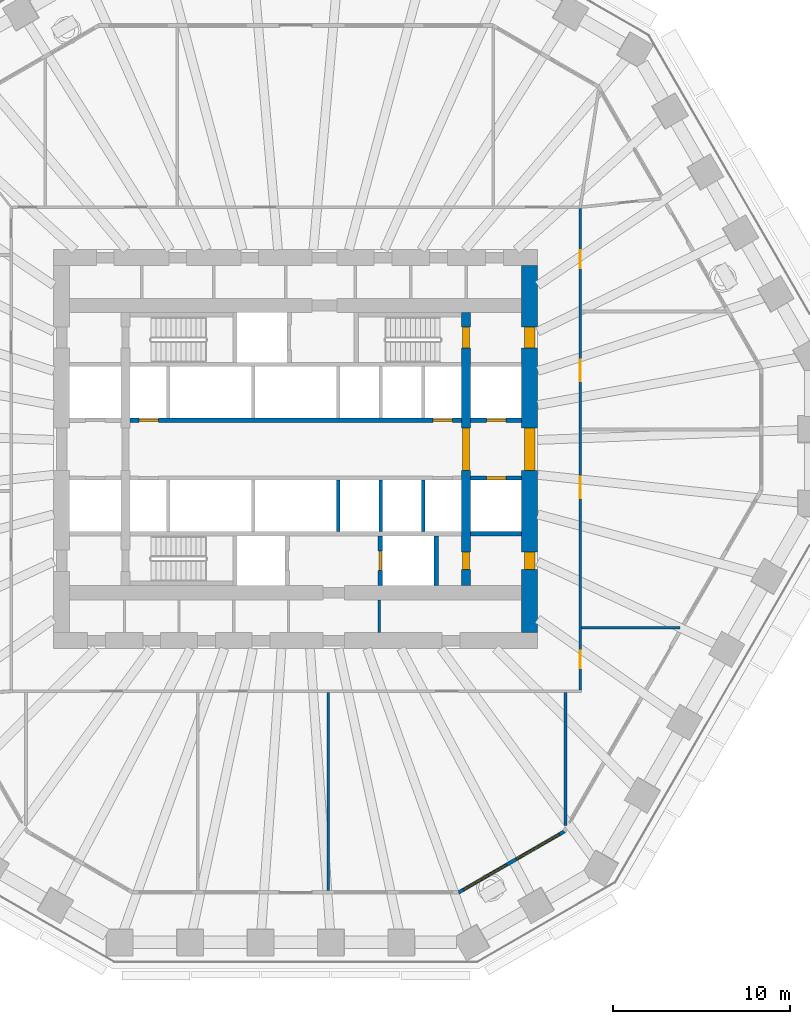
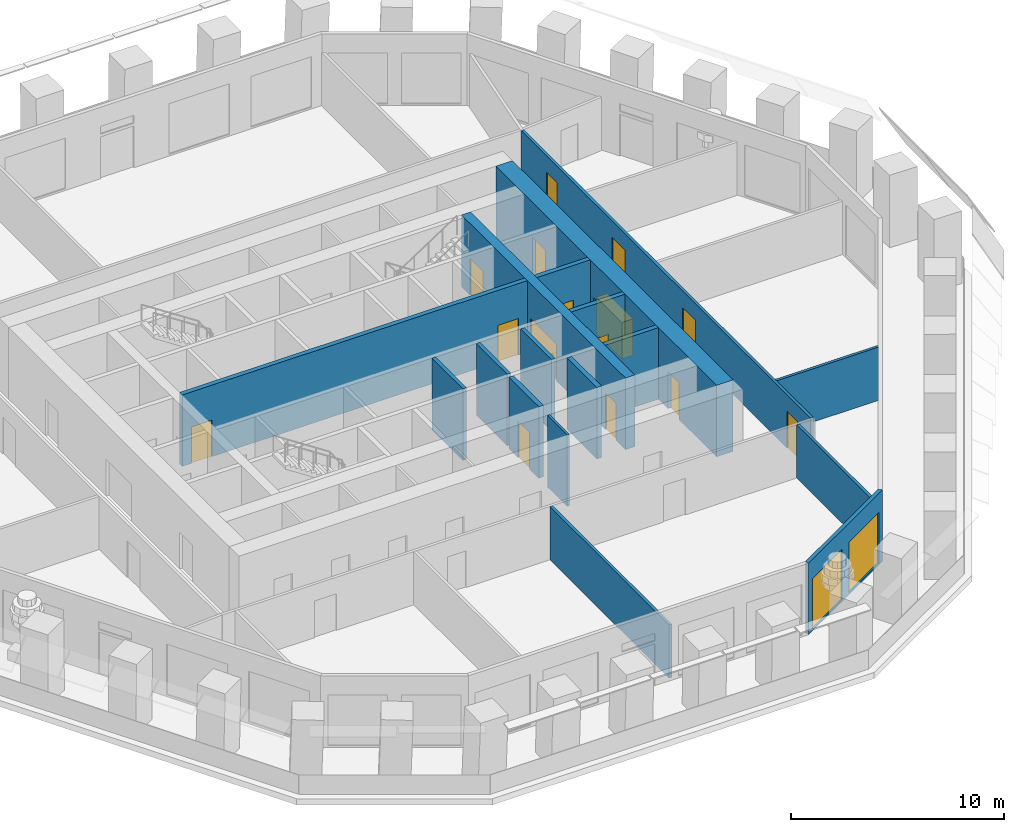
# One storey, part 5 of 12: 17 walls, 15 doors, 2 windows, 17 openings.
"""IFC4 building model written with IfcOpenShell, lengths in metres."""

from ifc_helpers import new_model, si_unit, direction, frame, frame_2d, origin, place, context, subcontext, project, spatial, polyline, rectangle, outline, extrude, material, layer, layer_set, type_object, element, fill, save


model = new_model("IFC4")

# Units and contexts
model_context = context("Model", 3, precision=1e-05, world=origin(), true_north=direction((0.0, 1.0)))
body_context = subcontext(model_context, "Body", "Model", "MODEL_VIEW")
ifc_project = project(units=[si_unit("LENGTHUNIT", "METRE"), si_unit("AREAUNIT", "SQUARE_METRE"), si_unit("VOLUMEUNIT", "CUBIC_METRE"), si_unit("PLANEANGLEUNIT", "RADIAN"), si_unit("MASSUNIT", "GRAM", prefix="KILO")], contexts=[model_context])

# Site, building, storey
site_placement = place(None, origin())
site = spatial("IfcSite", under=ifc_project, at=site_placement, CompositionType="ELEMENT")
building_placement = place(site_placement, origin())
building = spatial("IfcBuilding", under=site, at=building_placement, Name="Frailejon Research Tower", CompositionType="ELEMENT")
storey_placement = place(building_placement, frame((0.0, 0.0, 49.800048828125)))
storey = spatial("IfcBuildingStorey", under=building, at=storey_placement, Name="L11", CompositionType="ELEMENT", Elevation=49.800048828125)

# Wall
ifc_material_1 = material(Name="Plasterboard on steel studs", Category="steel")
ifc_layer_1 = layer(ifc_material_1, 0.125)
ifc_layer_set_1 = layer_set([ifc_layer_1], Name="Core partition 125")
wall_type_1 = type_object("IfcWallType", Name="Core partition 125", PredefinedType="PARTITIONING", material=ifc_layer_set_1)
wall_1_placement = place(storey_placement, frame((4.71240234375, -10.35009765625, 0.0), z_axis=(0.0, 0.0, 1.0), x_axis=(0.0, 1.0, 0.0)))
element("IfcWall", 1, at=wall_1_placement, inside=storey, type_object=wall_type_1, Name="Core partition", PredefinedType="PARTITIONING", context=body_context, shape_type="SweptSolid", body=[
    extrude(rectangle(XDim=1.85009765625, YDim=0.125, at=frame_2d((0.925048828125, 0.0))), origin(), (0.0, 0.0, 1.0), 4.099853515625),
])

# Wall, openings, doors
ifc_material_2 = material(Name="Concrete C70/85", Category="concrete")
ifc_layer_2 = layer(ifc_material_2, 0.5)
ifc_layer_set_2 = layer_set([ifc_layer_2], Name="Core shear wall 500 C70/85")
wall_type_2 = type_object("IfcWallType", Name="Core shear wall 500 C70/85", PredefinedType="SHEAR", material=ifc_layer_set_2)
wall_2_placement = place(storey_placement, frame((9.60009765625, -7.699951171875, 0.0), z_axis=(0.0, 0.0, 1.0), x_axis=(0.0, 1.0, 0.0)))
wall_2 = element("IfcWall", 2, at=wall_2_placement, inside=storey, type_object=wall_type_2, Name="Core shear wall", PredefinedType="SHEAR", context=body_context, shape_type="SweptSolid", body=[
    extrude(rectangle(XDim=15.39990234375, YDim=0.5, at=frame_2d((7.699951171875, 0.0))), origin(), (0.0, 0.0, 1.0), 4.099853515625),
])
opening_1_placement = place(wall_2_placement, frame((6.5, 0.0, 0.0)))
opening_1 = element("IfcOpeningElement", 3, at=opening_1_placement, cuts=wall_2, Name="Opening D2", PredefinedType="OPENING", context=body_context, shape_type="SweptSolid", body=[
    extrude(rectangle(XDim=2.39990234375, YDim=2.10009765625, at=frame_2d((1.199951171875, 1.050048828125))), frame((0.0, 0.260009765625, 0.0), z_axis=(0.0, -1.0, 0.0), x_axis=(1.0, 0.0, 0.0)), (0.0, 0.0, 1.0), 0.52001953125),
])
opening_2_placement = place(wall_2_placement, frame((13.39990234375, 0.0, 0.0)))
opening_2 = element("IfcOpeningElement", 4, at=opening_2_placement, cuts=wall_2, Name="Opening D1", PredefinedType="OPENING", context=body_context, shape_type="SweptSolid", body=[
    extrude(rectangle(XDim=1.199951171875, YDim=2.10009765625, at=frame_2d((0.60009765625, 1.050048828125))), frame((0.0, 0.260009765625, 0.0), z_axis=(0.0, -1.0, 0.0), x_axis=(1.0, 0.0, 0.0)), (0.0, 0.0, 1.0), 0.52001953125),
])
opening_3_placement = place(wall_2_placement, frame((0.89990234375, 0.0, 0.0)))
opening_3 = element("IfcOpeningElement", 5, at=opening_3_placement, cuts=wall_2, Name="Opening D4", PredefinedType="OPENING", context=body_context, shape_type="SweptSolid", body=[
    extrude(rectangle(XDim=1.0, YDim=2.10009765625, at=frame_2d((0.5, 1.050048828125))), frame((0.0, 0.260009765625, 0.0), z_axis=(0.0, -1.0, 0.0), x_axis=(1.0, 0.0, 0.0)), (0.0, 0.0, 1.0), 0.52001953125),
])
ifc_material_3 = material(Name="Steel", Category="steel")
door_type_1 = type_object("IfcDoorType", Name="Lobby double door", OperationType="DOUBLE_DOOR_SINGLE_SWING", PredefinedType="DOOR", material=ifc_material_3)
door_1_placement = place(opening_1_placement, origin())
door_1 = element("IfcDoor", 6, at=door_1_placement, inside=storey, type_object=door_type_1, Name="Lobby door", OperationType="DOUBLE_DOOR_SINGLE_SWING", OverallHeight=2.10009765625, OverallWidth=2.39990234375, PredefinedType="DOOR", context=body_context, shape_type="SweptSolid", body=[
    extrude(rectangle(XDim=2.39990234375, YDim=2.10009765625, at=frame_2d((1.199951171875, 1.050048828125))), frame((0.0, 0.199951171875, 0.0), z_axis=(0.0, -1.0, 0.0), x_axis=(1.0, 0.0, 0.0)), (0.0, 0.0, 1.0), 0.39990234375),
])
fill(opening_1, door_1)
ifc_material_4 = material(Name="Steel", Category="steel")
door_type_2 = type_object("IfcDoorType", Name="Service door", OperationType="SINGLE_SWING_LEFT", PredefinedType="DOOR", material=ifc_material_4)
door_2_placement = place(opening_3_placement, origin())
door_2 = element("IfcDoor", 7, at=door_2_placement, inside=storey, type_object=door_type_2, Name="Riser door", OperationType="SINGLE_SWING_RIGHT", OverallHeight=2.10009765625, OverallWidth=1.0, PredefinedType="DOOR", context=body_context, shape_type="SweptSolid", body=[
    extrude(rectangle(XDim=1.0, YDim=2.10009765625, at=frame_2d((0.5, 1.050048828125))), frame((0.0, 0.199951171875, 0.0), z_axis=(0.0, -1.0, 0.0), x_axis=(1.0, 0.0, 0.0)), (0.0, 0.0, 1.0), 0.39990234375),
])
fill(opening_3, door_2)
ifc_material_5 = material(Name="Steel", Category="steel")
door_type_3 = type_object("IfcDoorType", Name="Stair door", OperationType="SINGLE_SWING_LEFT", PredefinedType="DOOR", material=ifc_material_5)
door_3_placement = place(opening_2_placement, origin())
door_3 = element("IfcDoor", 8, at=door_3_placement, inside=storey, type_object=door_type_3, Name="Stair door ST3", OperationType="SINGLE_SWING_RIGHT", OverallHeight=2.10009765625, OverallWidth=1.199951171875, PredefinedType="DOOR", context=body_context, shape_type="SweptSolid", body=[
    extrude(rectangle(XDim=1.199951171875, YDim=2.10009765625, at=frame_2d((0.60009765625, 1.050048828125))), frame((0.0, 0.199951171875, 0.0), z_axis=(0.0, -1.0, 0.0), x_axis=(1.0, 0.0, 0.0)), (0.0, 0.0, 1.0), 0.39990234375),
])
fill(opening_2, door_3)

ifc_material_6 = material(Name="Concrete C70/85", Category="concrete")
ifc_layer_3 = layer(ifc_material_6, 0.89990234375)
ifc_layer_set_3 = layer_set([ifc_layer_3], Name="Core shear wall 900 C70/85")
wall_type_3 = type_object("IfcWallType", Name="Core shear wall 900 C70/85", PredefinedType="SHEAR", material=ifc_layer_set_3)
wall_3_placement = place(storey_placement, frame((13.199951171875, -10.35009765625, 0.0), z_axis=(0.0, 0.0, 1.0), x_axis=(0.0, 1.0, 0.0)))
wall_3 = element("IfcWall", 9, at=wall_3_placement, inside=storey, type_object=wall_type_3, Name="Core shear wall", PredefinedType="SHEAR", context=body_context, shape_type="SweptSolid", body=[
    extrude(rectangle(XDim=20.7001953125, YDim=0.89990234375, at=frame_2d((10.35009765625, 0.0))), origin(), (0.0, 0.0, 1.0), 4.099853515625),
])
opening_4_placement = place(wall_3_placement, frame((9.14990234375, 0.0, 0.0)))
opening_4 = element("IfcOpeningElement", 10, at=opening_4_placement, cuts=wall_3, Name="Opening D2", PredefinedType="OPENING", context=body_context, shape_type="SweptSolid", body=[
    extrude(rectangle(XDim=2.39990234375, YDim=2.10009765625, at=frame_2d((1.199951171875, 1.050048828125))), frame((0.0, 0.4599609375, 0.0), z_axis=(0.0, -1.0, 0.0), x_axis=(1.0, 0.0, 0.0)), (0.0, 0.0, 1.0), 0.919921875),
])
opening_5_placement = place(wall_3_placement, frame((16.050048828125, 0.0, 0.0)))
opening_5 = element("IfcOpeningElement", 11, at=opening_5_placement, cuts=wall_3, Name="Opening D7", PredefinedType="OPENING", context=body_context, shape_type="SweptSolid", body=[
    extrude(rectangle(XDim=1.199951171875, YDim=2.10009765625, at=frame_2d((0.60009765625, 1.050048828125))), frame((0.0, 0.4599609375, 0.0), z_axis=(0.0, -1.0, 0.0), x_axis=(1.0, 0.0, 0.0)), (0.0, 0.0, 1.0), 0.919921875),
])
opening_6_placement = place(wall_3_placement, frame((3.550048828125, 0.0, 0.0)))
opening_6 = element("IfcOpeningElement", 12, at=opening_6_placement, cuts=wall_3, Name="Opening D4", PredefinedType="OPENING", context=body_context, shape_type="SweptSolid", body=[
    extrude(rectangle(XDim=1.0, YDim=2.10009765625, at=frame_2d((0.5, 1.050048828125))), frame((0.0, 0.4599609375, 0.0), z_axis=(0.0, -1.0, 0.0), x_axis=(1.0, 0.0, 0.0)), (0.0, 0.0, 1.0), 0.919921875),
])
door_4_placement = place(opening_4_placement, origin())
door_4 = element("IfcDoor", 13, at=door_4_placement, inside=storey, type_object=door_type_1, Name="Lobby door", OperationType="DOUBLE_DOOR_SINGLE_SWING", OverallHeight=2.10009765625, OverallWidth=2.39990234375, PredefinedType="DOOR", context=body_context, shape_type="SweptSolid", body=[
    extrude(rectangle(XDim=2.39990234375, YDim=2.10009765625, at=frame_2d((1.199951171875, 1.050048828125))), frame((0.0, 0.300048828125, 0.0), z_axis=(0.0, -1.0, 0.0), x_axis=(1.0, 0.0, 0.0)), (0.0, 0.0, 1.0), 0.60009765625),
])
fill(opening_4, door_4)
door_5_placement = place(opening_6_placement, origin())
door_5 = element("IfcDoor", 14, at=door_5_placement, inside=storey, type_object=door_type_2, Name="Store door", OperationType="SINGLE_SWING_LEFT", OverallHeight=2.10009765625, OverallWidth=1.0, PredefinedType="DOOR", context=body_context, shape_type="SweptSolid", body=[
    extrude(rectangle(XDim=1.0, YDim=2.10009765625, at=frame_2d((0.5, 1.050048828125))), frame((0.0, 0.300048828125, 0.0), z_axis=(0.0, -1.0, 0.0), x_axis=(1.0, 0.0, 0.0)), (0.0, 0.0, 1.0), 0.60009765625),
])
fill(opening_6, door_5)
ifc_material_7 = material(Name="Steel", Category="steel")
door_type_4 = type_object("IfcDoorType", Name="Stair exit door", OperationType="SINGLE_SWING_LEFT", PredefinedType="DOOR", material=ifc_material_7)
door_6_placement = place(opening_5_placement, origin())
door_6 = element("IfcDoor", 15, at=door_6_placement, inside=storey, type_object=door_type_4, Name="Stair exit door ST3", OperationType="SINGLE_SWING_LEFT", OverallHeight=2.10009765625, OverallWidth=1.199951171875, PredefinedType="DOOR", context=body_context, shape_type="SweptSolid", body=[
    extrude(rectangle(XDim=1.199951171875, YDim=2.10009765625, at=frame_2d((0.60009765625, 1.050048828125))), frame((0.0, 0.300048828125, 0.0), z_axis=(0.0, -1.0, 0.0), x_axis=(1.0, 0.0, 0.0)), (0.0, 0.0, 1.0), 0.60009765625),
])
fill(opening_5, door_6)

ifc_material_8 = material(Name="Gypsum board and masonry partition", Category="masonry")
ifc_layer_4 = layer(ifc_material_8, 0.14990234375)
ifc_layer_set_4 = layer_set([ifc_layer_4], Name="Corridor wall EI 60, gypsum on steel studs 150")
wall_type_4 = type_object("IfcWallType", Name="Corridor wall EI 60, gypsum on steel studs 150", PredefinedType="PARTITIONING", material=ifc_layer_set_4)
wall_4_placement = place(storey_placement, frame((16.050048828125, -13.574951171875, 0.0), z_axis=(0.0, 0.0, 1.0), x_axis=(0.0, 1.0, 0.0)))
wall_4 = element("IfcWall", 16, at=wall_4_placement, inside=storey, type_object=wall_type_4, Name="T:IW:L11:001", PredefinedType="PARTITIONING", context=body_context, shape_type="SweptSolid", body=[
    extrude(rectangle(XDim=27.14990234375, YDim=0.14990234375, at=frame_2d((13.574951171875, 0.0))), origin(), (0.0, 0.0, 1.0), 3.050048828125),
])
opening_7_placement = place(wall_4_placement, frame((17.409912109375, 0.0, 0.0)))
opening_7 = element("IfcOpeningElement", 17, at=opening_7_placement, cuts=wall_4, Name="Opening D1403", PredefinedType="OPENING", context=body_context, shape_type="SweptSolid", body=[
    extrude(rectangle(XDim=1.199951171875, YDim=2.10009765625, at=frame_2d((0.60009765625, 1.050048828125))), frame((0.0, 0.0849609375, 0.0), z_axis=(0.0, -1.0, 0.0), x_axis=(1.0, 0.0, 0.0)), (0.0, 0.0, 1.0), 0.169921875),
])
opening_8_placement = place(wall_4_placement, frame((23.78173828125, 0.0, 0.0)))
opening_8 = element("IfcOpeningElement", 18, at=opening_8_placement, cuts=wall_4, Name="Opening D1404", PredefinedType="OPENING", context=body_context, shape_type="SweptSolid", body=[
    extrude(rectangle(XDim=1.0, YDim=2.10009765625, at=frame_2d((0.5, 1.050048828125))), frame((0.0, 0.0849609375, 0.0), z_axis=(0.0, -1.0, 0.0), x_axis=(1.0, 0.0, 0.0)), (0.0, 0.0, 1.0), 0.169921875),
])
opening_9_placement = place(wall_4_placement, frame((1.214111328125, 0.0, 0.0)))
opening_9 = element("IfcOpeningElement", 19, at=opening_9_placement, cuts=wall_4, Name="Opening D1417", PredefinedType="OPENING", context=body_context, shape_type="SweptSolid", body=[
    extrude(rectangle(XDim=1.0, YDim=2.10009765625, at=frame_2d((0.5, 1.050048828125))), frame((0.0, 0.0849609375, 0.0), z_axis=(0.0, -1.0, 0.0), x_axis=(1.0, 0.0, 0.0)), (0.0, 0.0, 1.0), 0.169921875),
])
opening_10_placement = place(wall_4_placement, frame((10.811767578125, 0.0, 0.0)))
opening_10 = element("IfcOpeningElement", 20, at=opening_10_placement, cuts=wall_4, Name="Opening D1418", PredefinedType="OPENING", context=body_context, shape_type="SweptSolid", body=[
    extrude(rectangle(XDim=1.199951171875, YDim=2.10009765625, at=frame_2d((0.60009765625, 1.050048828125))), frame((0.0, 0.0849609375, 0.0), z_axis=(0.0, -1.0, 0.0), x_axis=(1.0, 0.0, 0.0)), (0.0, 0.0, 1.0), 0.169921875),
])
ifc_material_9 = material(Name="Timber door leaf", Category="wood")
door_type_5 = type_object("IfcDoorType", Name="Door laboratory, timber, vision panel 1000", OperationType="NOTDEFINED", PredefinedType="DOOR", material=ifc_material_9)
door_7_placement = place(opening_8_placement, origin())
door_7 = element("IfcDoor", 21, at=door_7_placement, inside=storey, type_object=door_type_5, Name="D1404", OperationType="SINGLE_SWING_LEFT", OverallHeight=2.10009765625, OverallWidth=1.0, PredefinedType="DOOR", context=body_context, shape_type="SweptSolid", body=[
    extrude(rectangle(XDim=1.0, YDim=2.10009765625, at=frame_2d((0.5, 1.050048828125))), frame((0.0, 0.02490234375, 0.0), z_axis=(0.0, -1.0, 0.0), x_axis=(1.0, 0.0, 0.0)), (0.0, 0.0, 1.0), 0.050048828125),
])
fill(opening_8, door_7)
ifc_material_10 = material(Name="Timber door leaf", Category="wood")
door_type_6 = type_object("IfcDoorType", Name="Door laboratory, timber, vision panel 1200", OperationType="NOTDEFINED", PredefinedType="DOOR", material=ifc_material_10)
door_8_placement = place(opening_7_placement, origin())
door_8 = element("IfcDoor", 22, at=door_8_placement, inside=storey, type_object=door_type_6, Name="D1403", OperationType="DOUBLE_DOOR_SINGLE_SWING", OverallHeight=2.10009765625, OverallWidth=1.199951171875, PredefinedType="DOOR", context=body_context, shape_type="SweptSolid", body=[
    extrude(rectangle(XDim=1.199951171875, YDim=2.10009765625, at=frame_2d((0.60009765625, 1.050048828125))), frame((0.0, 0.02490234375, 0.0), z_axis=(0.0, -1.0, 0.0), x_axis=(1.0, 0.0, 0.0)), (0.0, 0.0, 1.0), 0.050048828125),
])
fill(opening_7, door_8)
door_9_placement = place(opening_10_placement, origin())
door_9 = element("IfcDoor", 23, at=door_9_placement, inside=storey, type_object=door_type_6, Name="D1418", OperationType="DOUBLE_DOOR_SINGLE_SWING", OverallHeight=2.10009765625, OverallWidth=1.199951171875, PredefinedType="DOOR", context=body_context, shape_type="SweptSolid", body=[
    extrude(rectangle(XDim=1.199951171875, YDim=2.10009765625, at=frame_2d((0.60009765625, 1.050048828125))), frame((0.0, 0.02490234375, 0.0), z_axis=(0.0, -1.0, 0.0), x_axis=(1.0, 0.0, 0.0)), (0.0, 0.0, 1.0), 0.050048828125),
])
fill(opening_10, door_9)
ifc_material_11 = material(Name="Timber door leaf", Category="wood")
door_type_7 = type_object("IfcDoorType", Name="Door single leaf, timber, steel frame 1000", OperationType="NOTDEFINED", PredefinedType="DOOR", material=ifc_material_11)
door_10_placement = place(opening_9_placement, origin())
door_10 = element("IfcDoor", 24, at=door_10_placement, inside=storey, type_object=door_type_7, Name="D1417", OperationType="SINGLE_SWING_LEFT", OverallHeight=2.10009765625, OverallWidth=1.0, PredefinedType="DOOR", context=body_context, shape_type="SweptSolid", body=[
    extrude(rectangle(XDim=1.0, YDim=2.10009765625, at=frame_2d((0.5, 1.050048828125))), frame((0.0, 0.02490234375, 0.0), z_axis=(0.0, -1.0, 0.0), x_axis=(1.0, 0.0, 0.0)), (0.0, 0.0, 1.0), 0.050048828125),
])
fill(opening_9, door_10)

# Walls
ifc_material_12 = material(Name="Gypsum board and masonry partition", Category="masonry")
ifc_layer_5 = layer(ifc_material_12, 0.14990234375)
ifc_layer_set_5 = layer_set([ifc_layer_5], Name="Laboratory partition, blockwork 150")
wall_type_5 = type_object("IfcWallType", Name="Laboratory partition, blockwork 150", PredefinedType="PARTITIONING", material=ifc_layer_set_5)
wall_5_placement = place(storey_placement, frame((1.843505859375, -24.90625, 0.0), z_axis=(0.0, 0.0, 1.0), x_axis=(0.0, 1.0, 0.0)))
element("IfcWall", 25, at=wall_5_placement, inside=storey, type_object=wall_type_5, Name="T:IW:L11:017", PredefinedType="PARTITIONING", context=body_context, shape_type="SweptSolid", body=[
    extrude(rectangle(XDim=11.18115234375, YDim=0.14990234375, at=frame_2d((5.590576171875, 0.0))), origin(), (0.0, 0.0, 1.0), 3.050048828125),
])
wall_6_placement = place(storey_placement, frame((15.2177734375, -21.2421875, 0.0), z_axis=(0.0, 0.0, 1.0), x_axis=(0.0, 1.0, 0.0)))
element("IfcWall", 26, at=wall_6_placement, inside=storey, type_object=wall_type_5, Name="T:IW:L11:018", PredefinedType="PARTITIONING", context=body_context, shape_type="SweptSolid", body=[
    extrude(rectangle(XDim=7.51708984375, YDim=0.14990234375, at=frame_2d((3.758544921875, 0.0))), origin(), (0.0, 0.0, 1.0), 3.050048828125),
])
wall_7_placement = place(storey_placement, frame((16.125, -10.071533203125, 0.0), z_axis=(0.0, 0.0, 1.0), x_axis=(1.0, 0.0, 0.0)))
element("IfcWall", 27, at=wall_7_placement, inside=storey, type_object=wall_type_5, Name="T:IW:L11:019", PredefinedType="PARTITIONING", context=body_context, shape_type="SweptSolid", body=[
    extrude(rectangle(XDim=5.5419921875, YDim=0.14990234375, at=frame_2d((2.77099609375, 0.0))), origin(), (0.0, 0.0, 1.0), 3.050048828125),
])
ifc_material_13 = material(Name="Concrete C70/85", Category="concrete")
ifc_layer_6 = layer(ifc_material_13, 0.199951171875)
ifc_layer_set_6 = layer_set([ifc_layer_6], Name="Shaft wall 200 C70/85")
wall_type_6 = type_object("IfcWallType", Name="Shaft wall 200 C70/85", PredefinedType="SOLIDWALL", material=ifc_layer_set_6)
for number, where, z_axis, x_axis, name in (
    (28, (2.39990234375, -4.64990234375, 0.0), (0.0, 0.0, 1.0), (0.0, 1.0, 0.0), "Shaft wall"),
    (29, (4.800048828125, -4.64990234375, 0.0), (0.0, 0.0, 1.0), (0.0, 1.0, 0.0), "Shaft wall"),
    (30, (7.199951171875, -4.64990234375, 0.0), (0.0, 0.0, 1.0), (0.0, 1.0, 0.0), "Shaft wall"),
):
    element("IfcWall", number, at=place(storey_placement, frame(where, z_axis=z_axis, x_axis=x_axis)), inside=storey, type_object=wall_type_6, Name=name, PredefinedType="SOLIDWALL", context=body_context, shape_type="SweptSolid", body=[
        extrude(rectangle(XDim=2.89990234375, YDim=0.199951171875, at=frame_2d((1.449951171875, 0.0))), origin(), (0.0, 0.0, 1.0), 4.099853515625),
    ])

# Wall, openings, doors
ifc_material_14 = material(Name="Concrete C70/85", Category="concrete")
ifc_layer_7 = layer(ifc_material_14, 0.25)
ifc_layer_set_7 = layer_set([ifc_layer_7], Name="Shaft wall 250 C70/85")
wall_type_7 = type_object("IfcWallType", Name="Shaft wall 250 C70/85", PredefinedType="SOLIDWALL", material=ifc_layer_set_7)
wall_8_placement = place(storey_placement, frame((-9.35009765625, 1.625, 0.0), z_axis=(0.0, 0.0, 1.0), x_axis=(1.0, 0.0, 0.0)))
wall_8 = element("IfcWall", 31, at=wall_8_placement, inside=storey, type_object=wall_type_7, Name="Shaft wall", PredefinedType="SOLIDWALL", context=body_context, shape_type="SweptSolid", body=[
    extrude(rectangle(XDim=18.7001953125, YDim=0.25, at=frame_2d((9.35009765625, 0.0))), origin(), (0.0, 0.0, 1.0), 4.099853515625),
])
opening_11_placement = place(wall_8_placement, frame((0.5, 0.0, 0.0)))
opening_11 = element("IfcOpeningElement", 32, at=opening_11_placement, cuts=wall_8, Name="Opening LD", PredefinedType="OPENING", context=body_context, shape_type="SweptSolid", body=[
    extrude(rectangle(XDim=1.10009765625, YDim=2.10009765625, at=frame_2d((0.550048828125, 1.050048828125))), frame((0.0, 0.135009765625, 0.0), z_axis=(0.0, -1.0, 0.0), x_axis=(1.0, 0.0, 0.0)), (0.0, 0.0, 1.0), 0.27001953125),
])
opening_12_placement = place(wall_8_placement, frame((17.10009765625, 0.0, 0.0)))
opening_12 = element("IfcOpeningElement", 33, at=opening_12_placement, cuts=wall_8, Name="Opening LD", PredefinedType="OPENING", context=body_context, shape_type="SweptSolid", body=[
    extrude(rectangle(XDim=1.10009765625, YDim=2.10009765625, at=frame_2d((0.550048828125, 1.050048828125))), frame((0.0, 0.135009765625, 0.0), z_axis=(0.0, -1.0, 0.0), x_axis=(1.0, 0.0, 0.0)), (0.0, 0.0, 1.0), 0.27001953125),
])
ifc_material_15 = material(Name="Steel", Category="steel")
door_type_8 = type_object("IfcDoorType", Name="Lift landing door", OperationType="DOUBLE_DOOR_SLIDING", PredefinedType="DOOR", material=ifc_material_15)
door_11_placement = place(opening_11_placement, origin())
door_11 = element("IfcDoor", 34, at=door_11_placement, inside=storey, type_object=door_type_8, Name="Lift landing door", OperationType="DOUBLE_DOOR_SLIDING", OverallHeight=2.10009765625, OverallWidth=1.10009765625, PredefinedType="DOOR", context=body_context, shape_type="SweptSolid", body=[
    extrude(rectangle(XDim=1.10009765625, YDim=2.10009765625, at=frame_2d((0.550048828125, 1.050048828125))), frame((0.0, 0.074951171875, 0.0), z_axis=(0.0, -1.0, 0.0), x_axis=(1.0, 0.0, 0.0)), (0.0, 0.0, 1.0), 0.14990234375),
])
fill(opening_11, door_11)
door_12_placement = place(opening_12_placement, origin())
door_12 = element("IfcDoor", 35, at=door_12_placement, inside=storey, type_object=door_type_8, Name="Lift landing door", OperationType="DOUBLE_DOOR_SLIDING", OverallHeight=2.10009765625, OverallWidth=1.10009765625, PredefinedType="DOOR", context=body_context, shape_type="SweptSolid", body=[
    extrude(rectangle(XDim=1.10009765625, YDim=2.10009765625, at=frame_2d((0.550048828125, 1.050048828125))), frame((0.0, 0.074951171875, 0.0), z_axis=(0.0, -1.0, 0.0), x_axis=(1.0, 0.0, 0.0)), (0.0, 0.0, 1.0), 0.14990234375),
])
fill(opening_12, door_12)

# Wall, opening, door
wall_9_placement = place(storey_placement, frame((9.85009765625, 1.625, 0.0), z_axis=(0.0, 0.0, 1.0), x_axis=(1.0, 0.0, 0.0)))
wall_9 = element("IfcWall", 36, at=wall_9_placement, inside=storey, type_object=wall_type_7, Name="Shaft wall", PredefinedType="SOLIDWALL", context=body_context, shape_type="SweptSolid", body=[
    extrude(rectangle(XDim=2.89990234375, YDim=0.25, at=frame_2d((1.449951171875, 0.0))), origin(), (0.0, 0.0, 1.0), 4.099853515625),
])
opening_13_placement = place(wall_9_placement, frame((0.89990234375, 0.0, 0.0)))
opening_13 = element("IfcOpeningElement", 37, at=opening_13_placement, cuts=wall_9, Name="Opening LD", PredefinedType="OPENING", context=body_context, shape_type="SweptSolid", body=[
    extrude(rectangle(XDim=1.10009765625, YDim=2.10009765625, at=frame_2d((0.550048828125, 1.050048828125))), frame((0.0, 0.135009765625, 0.0), z_axis=(0.0, -1.0, 0.0), x_axis=(1.0, 0.0, 0.0)), (0.0, 0.0, 1.0), 0.27001953125),
])
door_13_placement = place(opening_13_placement, origin())
door_13 = element("IfcDoor", 38, at=door_13_placement, inside=storey, type_object=door_type_8, Name="Lift landing door", OperationType="DOUBLE_DOOR_SLIDING", OverallHeight=2.10009765625, OverallWidth=1.10009765625, PredefinedType="DOOR", context=body_context, shape_type="SweptSolid", body=[
    extrude(rectangle(XDim=1.10009765625, YDim=2.10009765625, at=frame_2d((0.550048828125, 1.050048828125))), frame((0.0, 0.074951171875, 0.0), z_axis=(0.0, -1.0, 0.0), x_axis=(1.0, 0.0, 0.0)), (0.0, 0.0, 1.0), 0.14990234375),
])
fill(opening_13, door_13)

wall_10_placement = place(storey_placement, frame((9.85009765625, -1.625, 0.0), z_axis=(0.0, 0.0, 1.0), x_axis=(1.0, 0.0, 0.0)))
wall_10 = element("IfcWall", 39, at=wall_10_placement, inside=storey, type_object=wall_type_7, Name="Shaft wall", PredefinedType="SOLIDWALL", context=body_context, shape_type="SweptSolid", body=[
    extrude(rectangle(XDim=2.89990234375, YDim=0.25, at=frame_2d((1.449951171875, 0.0))), origin(), (0.0, 0.0, 1.0), 4.099853515625),
])
opening_14_placement = place(wall_10_placement, frame((0.89990234375, 0.0, 0.0)))
opening_14 = element("IfcOpeningElement", 40, at=opening_14_placement, cuts=wall_10, Name="Opening LD", PredefinedType="OPENING", context=body_context, shape_type="SweptSolid", body=[
    extrude(rectangle(XDim=1.10009765625, YDim=2.10009765625, at=frame_2d((0.550048828125, 1.050048828125))), frame((0.0, 0.135009765625, 0.0), z_axis=(0.0, -1.0, 0.0), x_axis=(1.0, 0.0, 0.0)), (0.0, 0.0, 1.0), 0.27001953125),
])
door_14_placement = place(opening_14_placement, origin())
door_14 = element("IfcDoor", 41, at=door_14_placement, inside=storey, type_object=door_type_8, Name="Lift landing door", OperationType="DOUBLE_DOOR_SLIDING", OverallHeight=2.10009765625, OverallWidth=1.10009765625, PredefinedType="DOOR", context=body_context, shape_type="SweptSolid", body=[
    extrude(rectangle(XDim=1.10009765625, YDim=2.10009765625, at=frame_2d((0.550048828125, 1.050048828125))), frame((0.0, 0.074951171875, 0.0), z_axis=(0.0, -1.0, 0.0), x_axis=(1.0, 0.0, 0.0)), (0.0, 0.0, 1.0), 0.14990234375),
])
fill(opening_14, door_14)

# Wall
wall_11_placement = place(storey_placement, frame((9.85009765625, -4.77490234375, 0.0), z_axis=(0.0, 0.0, 1.0), x_axis=(1.0, 0.0, 0.0)))
element("IfcWall", 42, at=wall_11_placement, inside=storey, type_object=wall_type_7, Name="Shaft wall", PredefinedType="SOLIDWALL", context=body_context, shape_type="SweptSolid", body=[
    extrude(rectangle(XDim=2.89990234375, YDim=0.25, at=frame_2d((1.449951171875, 0.0))), origin(), (0.0, 0.0, 1.0), 4.099853515625),
])

# Wall, opening, door
wall_12_placement = place(storey_placement, frame((4.77490234375, -7.699951171875, 0.0), z_axis=(0.0, 0.0, 1.0), x_axis=(0.0, 1.0, 0.0)))
wall_12 = element("IfcWall", 43, at=wall_12_placement, inside=storey, type_object=wall_type_7, Name="Shaft wall", PredefinedType="SOLIDWALL", context=body_context, shape_type="SweptSolid", body=[
    extrude(rectangle(XDim=2.800048828125, YDim=0.25, at=frame_2d((1.39990234375, 0.0))), origin(), (0.0, 0.0, 1.0), 4.099853515625),
])
opening_15_placement = place(wall_12_placement, frame((0.85009765625, 0.0, 0.0)))
opening_15 = element("IfcOpeningElement", 44, at=opening_15_placement, cuts=wall_12, Name="Opening LD", PredefinedType="OPENING", context=body_context, shape_type="SweptSolid", body=[
    extrude(rectangle(XDim=1.10009765625, YDim=2.10009765625, at=frame_2d((0.550048828125, 1.050048828125))), frame((0.0, 0.135009765625, 0.0), z_axis=(0.0, -1.0, 0.0), x_axis=(1.0, 0.0, 0.0)), (0.0, 0.0, 1.0), 0.27001953125),
])
door_15_placement = place(opening_15_placement, origin())
door_15 = element("IfcDoor", 45, at=door_15_placement, inside=storey, type_object=door_type_8, Name="Lift landing door", OperationType="DOUBLE_DOOR_SLIDING", OverallHeight=2.10009765625, OverallWidth=1.10009765625, PredefinedType="DOOR", context=body_context, shape_type="SweptSolid", body=[
    extrude(rectangle(XDim=1.10009765625, YDim=2.10009765625, at=frame_2d((0.550048828125, 1.050048828125))), frame((0.0, 0.074951171875, 0.0), z_axis=(0.0, -1.0, 0.0), x_axis=(1.0, 0.0, 0.0)), (0.0, 0.0, 1.0), 0.14990234375),
])
fill(opening_15, door_15)

# Wall
wall_13_placement = place(storey_placement, frame((7.925048828125, -7.699951171875, 0.0), z_axis=(0.0, 0.0, 1.0), x_axis=(0.0, 1.0, 0.0)))
element("IfcWall", 46, at=wall_13_placement, inside=storey, type_object=wall_type_7, Name="Shaft wall", PredefinedType="SOLIDWALL", context=body_context, shape_type="SweptSolid", body=[
    extrude(rectangle(XDim=2.800048828125, YDim=0.25, at=frame_2d((1.39990234375, 0.0))), origin(), (0.0, 0.0, 1.0), 4.099853515625),
])

# Wall, openings, windows
ifc_material_16 = material(Name="Concrete C40/50 precast window wall panel", Category="concrete")
ifc_layer_8 = layer(ifc_material_16, 0.199951171875)
ifc_layer_set_8 = layer_set([ifc_layer_8], Name="Window wall 200")
wall_type_8 = type_object("IfcWallType", Name="Window wall 200", PredefinedType="SOLIDWALL", material=ifc_layer_set_8)
wall_14_placement = place(storey_placement, frame((9.19091796875, -25.006103515625, 0.0), z_axis=(0.0, 0.0, 1.0), x_axis=(0.866029458321, 0.49999297727, 0.0)))
wall_14 = element("IfcWall", 47, at=wall_14_placement, inside=storey, type_object=wall_type_8, Name="Exterior wall L11", PredefinedType="SOLIDWALL", context=body_context, shape_type="SweptSolid", body=[
    extrude(outline(polyline([(-0.02685546875, -0.10009765625), (1.1279296875, -0.10009765625), (2.282470703125, -0.10009765625), (3.437255859375, -0.10009765625), (4.592041015625, -0.10009765625), (5.74658203125, -0.10009765625), (6.9013671875, -0.10009765625), (6.84765625, 0.10009765625), (5.7109375, 0.10009765625), (4.573974609375, 0.10009765625), (3.437255859375, 0.10009765625), (2.300537109375, 0.10009765625), (1.16357421875, 0.10009765625), (0.02685546875, 0.10009765625), (-0.02685546875, -0.10009765625)])), origin(), (0.0, 0.0, 1.0), 4.099853515625),
])
opening_16_placement = place(wall_14_placement, frame((0.318603515625, 0.0, 0.10009765625)))
opening_16 = element("IfcOpeningElement", 48, at=opening_16_placement, cuts=wall_14, Name="Opening W3", PredefinedType="OPENING", context=body_context, shape_type="SweptSolid", body=[
    extrude(rectangle(XDim=2.800048828125, YDim=2.89990234375, at=frame_2d((1.39990234375, 1.449951171875))), frame((0.0, 0.10986328125, 0.0), z_axis=(0.0, -1.0, 0.0), x_axis=(1.0, 0.0, 0.0)), (0.0, 0.0, 1.0), 0.219970703125),
])
opening_17_placement = place(wall_14_placement, frame((3.756103515625, 0.0, 0.10009765625)))
opening_17 = element("IfcOpeningElement", 49, at=opening_17_placement, cuts=wall_14, Name="Opening W3", PredefinedType="OPENING", context=body_context, shape_type="SweptSolid", body=[
    extrude(rectangle(XDim=2.800048828125, YDim=2.89990234375, at=frame_2d((1.39990234375, 1.449951171875))), frame((0.0, 0.10986328125, 0.0), z_axis=(0.0, -1.0, 0.0), x_axis=(1.0, 0.0, 0.0)), (0.0, 0.0, 1.0), 0.219970703125),
])
ifc_material_17 = material(Name="Aluminium framed double glazing", Category="aluminium")
window_type = type_object("IfcWindowType", Name="Window 2800x2900", PartitioningType="SINGLE_PANEL", PredefinedType="WINDOW", material=ifc_material_17)
window_1_placement = place(opening_16_placement, origin())
window_1 = element("IfcWindow", 50, at=window_1_placement, inside=storey, type_object=window_type, Name="Window L11", OverallHeight=2.89990234375, OverallWidth=2.800048828125, PartitioningType="SINGLE_PANEL", PredefinedType="WINDOW", context=body_context, shape_type="SweptSolid", body=[
    extrude(rectangle(XDim=2.800048828125, YDim=2.89990234375, at=frame_2d((1.39990234375, 1.449951171875))), frame((0.0, 0.030029296875, 0.0), z_axis=(0.0, -1.0, 0.0), x_axis=(1.0, 0.0, 0.0)), (0.0, 0.0, 1.0), 0.06005859375),
])
fill(opening_16, window_1)
window_2_placement = place(opening_17_placement, origin())
window_2 = element("IfcWindow", 51, at=window_2_placement, inside=storey, type_object=window_type, Name="Window L11", OverallHeight=2.89990234375, OverallWidth=2.800048828125, PartitioningType="SINGLE_PANEL", PredefinedType="WINDOW", context=body_context, shape_type="SweptSolid", body=[
    extrude(rectangle(XDim=2.800048828125, YDim=2.89990234375, at=frame_2d((1.39990234375, 1.449951171875))), frame((0.0, 0.030029296875, 0.0), z_axis=(0.0, -1.0, 0.0), x_axis=(1.0, 0.0, 0.0)), (0.0, 0.0, 1.0), 0.06005859375),
])
fill(opening_17, window_2)

save(model, "model.ifc")
